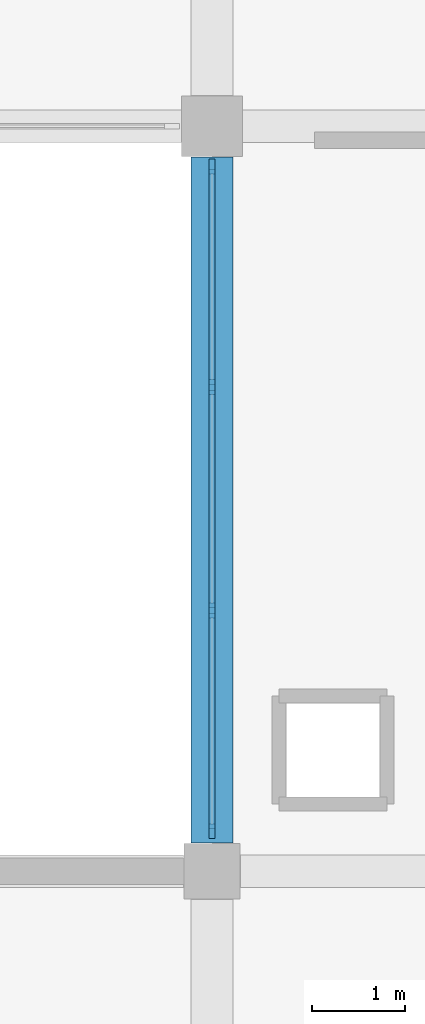
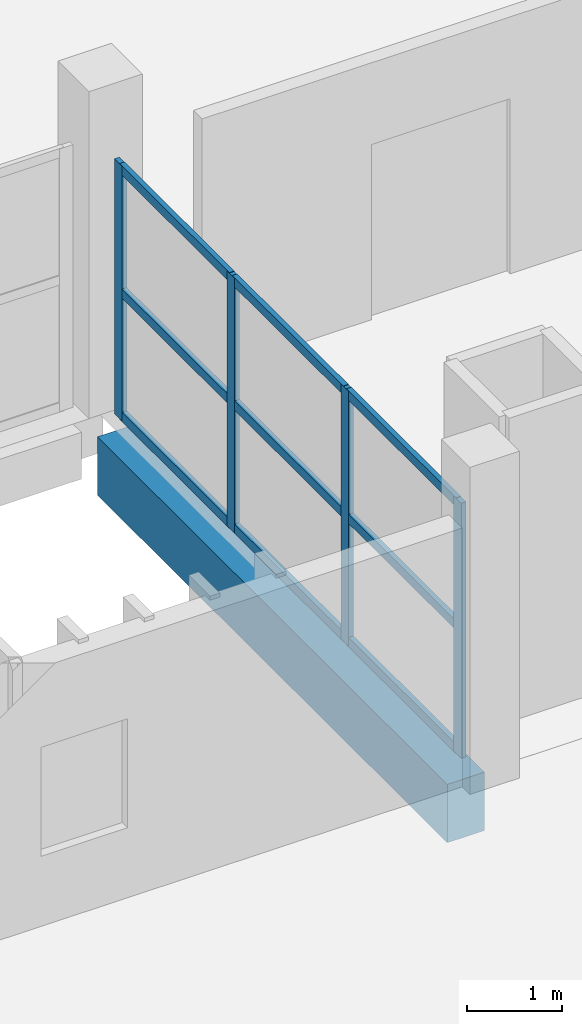
# One storey, part 14 of 137: 13 members, 1 beam, 1 element without a shape of its own.
"""IFC4 building model written with IfcOpenShell, lengths in metres."""

from ifc_helpers import new_model, si_unit, direction, frame, origin, origin_2d, place, context, subcontext, project, spatial, rectangle, extrude, material, layer, layer_set, material_profile, profile_set, type_object, element, aggregate, save


model = new_model("IFC4")

# Units and contexts
model_context = context("Model", 3, precision=1e-05, world=origin(), true_north=direction((0.0, 1.0)))
body_context = subcontext(model_context, "Body", "Model", "MODEL_VIEW")
ifc_project = project(units=[si_unit("LENGTHUNIT", "METRE"), si_unit("AREAUNIT", "SQUARE_METRE"), si_unit("VOLUMEUNIT", "CUBIC_METRE"), si_unit("PLANEANGLEUNIT", "RADIAN"), si_unit("MASSUNIT", "GRAM", prefix="KILO")], contexts=[model_context])

# Site, building, storey
site_placement = place(None, origin())
site = spatial("IfcSite", under=ifc_project, at=site_placement, CompositionType="ELEMENT")
building_placement = place(site_placement, origin())
building = spatial("IfcBuilding", under=site, at=building_placement, Name="Jelvoka-Kovrelna Polytechnic", CompositionType="ELEMENT")
storey_placement = place(building_placement, frame((0.0, 0.0, 9.60009765625)))
storey = spatial("IfcBuildingStorey", under=building, at=storey_placement, Name="L03", CompositionType="ELEMENT", Elevation=9.60009765625)

# Beam
ifc_material_1 = material(Name="Concrete C40/50", Category="concrete")
ifc_material_profile_1 = material_profile(ifc_material_1, rectangle(XDim=0.449951171875, YDim=0.75, at=origin_2d()), Name="RC 450x750")
ifc_profile_set_1 = profile_set([ifc_material_profile_1], Name="Concrete C40/50")
beam_type = type_object("IfcBeamType", Name="Beam_RC_450x750", PredefinedType="BEAM", material=ifc_profile_set_1)
beam_placement = place(storey_placement, frame((72.0, 24.304931640625, -0.64013671875), z_axis=(0.0, 1.0, 0.0), x_axis=(-1.0, 0.0, 0.0)))
element("IfcBeam", 1, at=beam_placement, inside=storey, type_object=beam_type, Name="L03 beam 1104", PredefinedType="BEAM", context=body_context, shape_type="SweptSolid", body=[
    extrude(rectangle(XDim=0.449951171875, YDim=0.75, at=origin_2d()), origin(), (0.0, 0.0, 1.0), 7.364990234375),
])

# Curtain wall, members
ifc_material_2 = material(Name="Anodised aluminium 6063-T6", Category="aluminium")
ifc_layer = layer(ifc_material_2, 0.159912109375)
ifc_layer_set = layer_set([ifc_layer], Name="Anodised aluminium 6063-T6")
curtain_wall_type = type_object("IfcCurtainWallType", Name="CW_LinkBridge", PredefinedType="NOTDEFINED", material=ifc_layer_set)
curtain_wall_placement = place(storey_placement, origin())
curtain_wall = element("IfcCurtainWall", 2, at=curtain_wall_placement, inside=storey, type_object=curtain_wall_type, Name="L03 glazed curtain wall 124", PredefinedType="NOTDEFINED")
ifc_material_3 = material(Name="Anodised aluminium 6063-T6", Category="aluminium")
ifc_material_profile_2 = material_profile(ifc_material_3, rectangle(XDim=0.06005859375, YDim=0.159912109375, at=origin_2d()), Name="ALU 60x160")
ifc_profile_set_2 = profile_set([ifc_material_profile_2], Name="Anodised aluminium 6063-T6")
member_type_1 = type_object("IfcMemberType", Name="Mullion_M-04", PredefinedType="MULLION", material=ifc_profile_set_2)
member_1_placement = place(storey_placement, frame((72.0, 24.429931640625, -0.02490234375), z_axis=(0.0, 0.0, 1.0), x_axis=(-1.0, 0.0, 0.0)))
member_1 = element("IfcMember", 3, at=member_1_placement, type_object=member_type_1, Name="CW-04 mullion 1", PredefinedType="MULLION", context=body_context, shape_type="SweptSolid", body=[
    extrude(rectangle(XDim=0.06005859375, YDim=0.159912109375, at=origin_2d()), origin(), (0.0, 0.0, 1.0), 3.27490234375),
])
member_2_placement = place(storey_placement, frame((72.0, 26.800048828125, -0.02490234375), z_axis=(0.0, 0.0, 1.0), x_axis=(-1.0, 0.0, 0.0)))
member_2 = element("IfcMember", 4, at=member_2_placement, type_object=member_type_1, Name="CW-04 mullion 2", PredefinedType="MULLION", context=body_context, shape_type="SweptSolid", body=[
    extrude(rectangle(XDim=0.06005859375, YDim=0.159912109375, at=origin_2d()), origin(), (0.0, 0.0, 1.0), 3.27490234375),
])
member_3_placement = place(storey_placement, frame((72.0, 29.199951171875, -0.02490234375), z_axis=(0.0, 0.0, 1.0), x_axis=(-1.0, 0.0, 0.0)))
member_3 = element("IfcMember", 5, at=member_3_placement, type_object=member_type_1, Name="CW-04 mullion 3", PredefinedType="MULLION", context=body_context, shape_type="SweptSolid", body=[
    extrude(rectangle(XDim=0.06005859375, YDim=0.159912109375, at=origin_2d()), origin(), (0.0, 0.0, 1.0), 3.27490234375),
])
member_4_placement = place(storey_placement, frame((72.0, 31.570068359375, -0.02490234375), z_axis=(0.0, 0.0, 1.0), x_axis=(-1.0, 0.0, 0.0)))
member_4 = element("IfcMember", 6, at=member_4_placement, type_object=member_type_1, Name="CW-04 mullion 4", PredefinedType="MULLION", context=body_context, shape_type="SweptSolid", body=[
    extrude(rectangle(XDim=0.06005859375, YDim=0.159912109375, at=origin_2d()), origin(), (0.0, 0.0, 1.0), 3.27490234375),
])
ifc_material_4 = material(Name="Anodised aluminium 6063-T6", Category="aluminium")
ifc_material_profile_3 = material_profile(ifc_material_4, rectangle(XDim=0.06005859375, YDim=0.1201171875, at=origin_2d()), Name="ALU 60x120")
ifc_profile_set_3 = profile_set([ifc_material_profile_3], Name="Anodised aluminium 6063-T6")
member_type_2 = type_object("IfcMemberType", Name="Transom_T-04", PredefinedType="USERDEFINED", material=ifc_profile_set_3)
member_5_placement = place(storey_placement, frame((72.0, 24.4599609375, 0.02978515625), z_axis=(0.0, 1.0, 0.0), x_axis=(-1.0, 0.0, 0.0)))
member_5 = element("IfcMember", 7, at=member_5_placement, type_object=member_type_2, Name="CW-04 transom 1.1", ObjectType="TRANSOM", PredefinedType="USERDEFINED", context=body_context, shape_type="SweptSolid", body=[
    extrude(rectangle(XDim=0.06005859375, YDim=0.1201171875, at=origin_2d()), origin(), (0.0, 0.0, 1.0), 2.31005859375),
])
member_6_placement = place(storey_placement, frame((72.0, 24.4599609375, 1.6123046875), z_axis=(0.0, 1.0, 0.0), x_axis=(-1.0, 0.0, 0.0)))
member_6 = element("IfcMember", 8, at=member_6_placement, type_object=member_type_2, Name="CW-04 transom 1.2", ObjectType="TRANSOM", PredefinedType="USERDEFINED", context=body_context, shape_type="SweptSolid", body=[
    extrude(rectangle(XDim=0.06005859375, YDim=0.1201171875, at=origin_2d()), origin(), (0.0, 0.0, 1.0), 2.31005859375),
])
member_7_placement = place(storey_placement, frame((72.0, 24.4599609375, 3.19482421875), z_axis=(0.0, 1.0, 0.0), x_axis=(-1.0, 0.0, 0.0)))
member_7 = element("IfcMember", 9, at=member_7_placement, type_object=member_type_2, Name="CW-04 transom 1.3", ObjectType="TRANSOM", PredefinedType="USERDEFINED", context=body_context, shape_type="SweptSolid", body=[
    extrude(rectangle(XDim=0.06005859375, YDim=0.1201171875, at=origin_2d()), origin(), (0.0, 0.0, 1.0), 2.31005859375),
])
member_8_placement = place(storey_placement, frame((72.0, 26.830078125, 0.02978515625), z_axis=(0.0, 1.0, 0.0), x_axis=(-1.0, 0.0, 0.0)))
member_8 = element("IfcMember", 10, at=member_8_placement, type_object=member_type_2, Name="CW-04 transom 2.1", ObjectType="TRANSOM", PredefinedType="USERDEFINED", context=body_context, shape_type="SweptSolid", body=[
    extrude(rectangle(XDim=0.06005859375, YDim=0.1201171875, at=origin_2d()), origin(), (0.0, 0.0, 1.0), 2.33984375),
])
member_9_placement = place(storey_placement, frame((72.0, 26.830078125, 1.6123046875), z_axis=(0.0, 1.0, 0.0), x_axis=(-1.0, 0.0, 0.0)))
member_9 = element("IfcMember", 11, at=member_9_placement, type_object=member_type_2, Name="CW-04 transom 2.2", ObjectType="TRANSOM", PredefinedType="USERDEFINED", context=body_context, shape_type="SweptSolid", body=[
    extrude(rectangle(XDim=0.06005859375, YDim=0.1201171875, at=origin_2d()), origin(), (0.0, 0.0, 1.0), 2.33984375),
])
member_10_placement = place(storey_placement, frame((72.0, 26.830078125, 3.19482421875), z_axis=(0.0, 1.0, 0.0), x_axis=(-1.0, 0.0, 0.0)))
member_10 = element("IfcMember", 12, at=member_10_placement, type_object=member_type_2, Name="CW-04 transom 2.3", ObjectType="TRANSOM", PredefinedType="USERDEFINED", context=body_context, shape_type="SweptSolid", body=[
    extrude(rectangle(XDim=0.06005859375, YDim=0.1201171875, at=origin_2d()), origin(), (0.0, 0.0, 1.0), 2.33984375),
])
member_11_placement = place(storey_placement, frame((72.0, 29.22998046875, 0.02978515625), z_axis=(0.0, 1.0, 0.0), x_axis=(-1.0, 0.0, 0.0)))
member_11 = element("IfcMember", 13, at=member_11_placement, type_object=member_type_2, Name="CW-04 transom 3.1", ObjectType="TRANSOM", PredefinedType="USERDEFINED", context=body_context, shape_type="SweptSolid", body=[
    extrude(rectangle(XDim=0.06005859375, YDim=0.1201171875, at=origin_2d()), origin(), (0.0, 0.0, 1.0), 2.31005859375),
])
member_12_placement = place(storey_placement, frame((72.0, 29.22998046875, 1.6123046875), z_axis=(0.0, 1.0, 0.0), x_axis=(-1.0, 0.0, 0.0)))
member_12 = element("IfcMember", 14, at=member_12_placement, type_object=member_type_2, Name="CW-04 transom 3.2", ObjectType="TRANSOM", PredefinedType="USERDEFINED", context=body_context, shape_type="SweptSolid", body=[
    extrude(rectangle(XDim=0.06005859375, YDim=0.1201171875, at=origin_2d()), origin(), (0.0, 0.0, 1.0), 2.31005859375),
])
member_13_placement = place(storey_placement, frame((72.0, 29.22998046875, 3.19482421875), z_axis=(0.0, 1.0, 0.0), x_axis=(-1.0, 0.0, 0.0)))
member_13 = element("IfcMember", 15, at=member_13_placement, type_object=member_type_2, Name="CW-04 transom 3.3", ObjectType="TRANSOM", PredefinedType="USERDEFINED", context=body_context, shape_type="SweptSolid", body=[
    extrude(rectangle(XDim=0.06005859375, YDim=0.1201171875, at=origin_2d()), origin(), (0.0, 0.0, 1.0), 2.31005859375),
])
aggregate(curtain_wall, [member_1, member_2, member_3, member_4, member_5, member_6, member_7, member_8, member_9, member_10, member_11, member_12, member_13])

save(model, "model.ifc")
